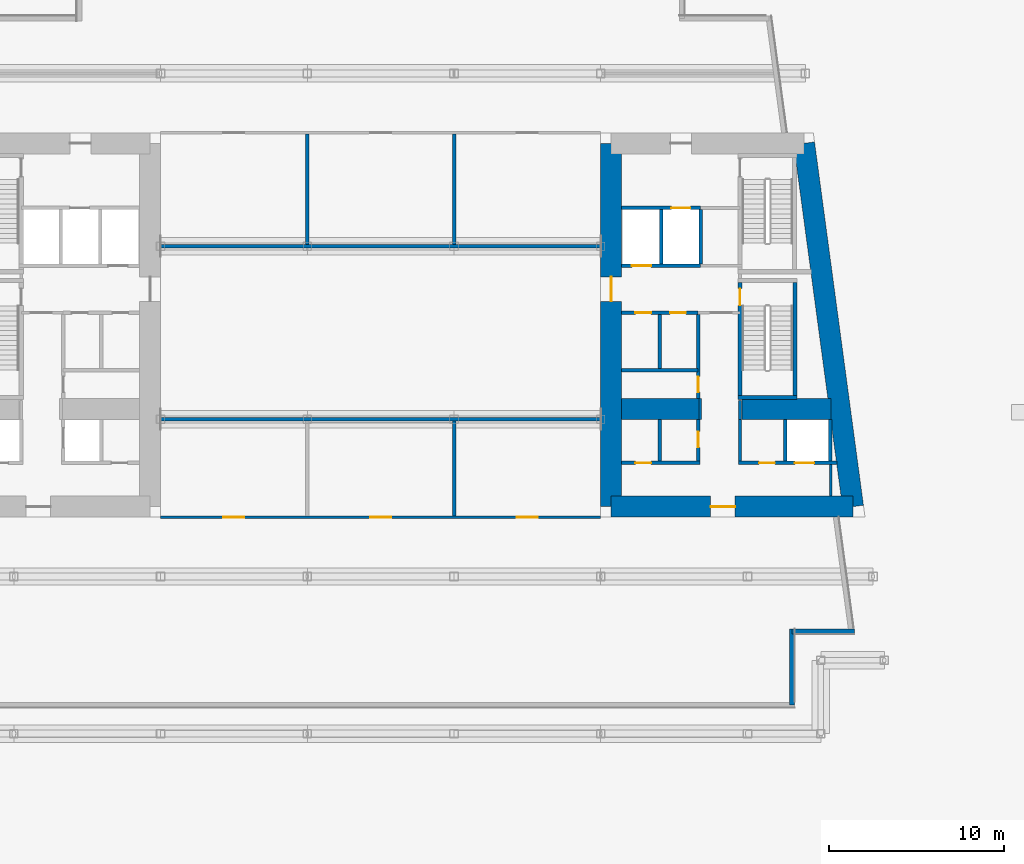
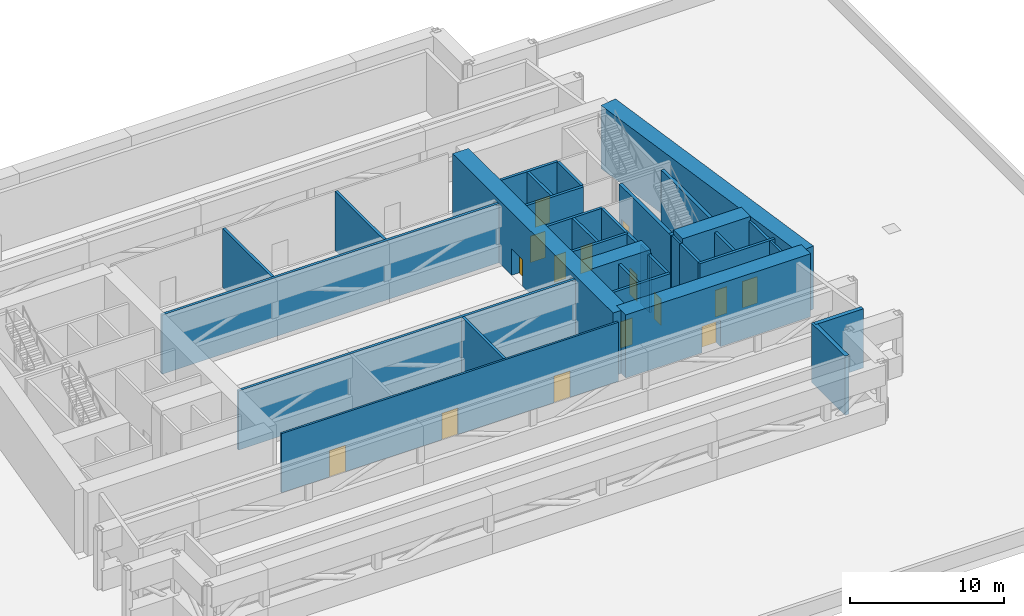
# One storey, part 15 of 26: 34 walls, 15 doors, 15 openings.
"""IFC4 building model written with IfcOpenShell, lengths in metres."""

from ifc_helpers import new_model, si_unit, direction, frame, frame_2d, origin, place, context, subcontext, project, spatial, rectangle, extrude, material, layer, layer_set, type_object, element, fill, save


model = new_model("IFC4")

# Units and contexts
model_context = context("Model", 3, precision=1e-05, world=origin(), true_north=direction((0.0, 1.0)))
body_context = subcontext(model_context, "Body", "Model", "MODEL_VIEW")
ifc_project = project(units=[si_unit("LENGTHUNIT", "METRE"), si_unit("AREAUNIT", "SQUARE_METRE"), si_unit("VOLUMEUNIT", "CUBIC_METRE"), si_unit("PLANEANGLEUNIT", "RADIAN"), si_unit("MASSUNIT", "GRAM", prefix="KILO")], contexts=[model_context])

# Site, building, storey
site_placement = place(None, origin())
site = spatial("IfcSite", under=ifc_project, at=site_placement, CompositionType="ELEMENT")
building_placement = place(site_placement, origin())
building = spatial("IfcBuilding", under=site, at=building_placement, Name="Candeia Pilgrim Tower and Theatre", CompositionType="ELEMENT")
storey_placement = place(building_placement, frame((0.0, 0.0, 34.0)))
storey = spatial("IfcBuildingStorey", under=building, at=storey_placement, Name="L05", CompositionType="ELEMENT", Elevation=34.0)

# Wall
ifc_material_1 = material(Name="Concrete C80/95", Category="concrete")
ifc_layer_1 = layer(ifc_material_1, 1.199951171875)
ifc_layer_set_1 = layer_set([ifc_layer_1], Name="Core wall 1200 C80/95")
wall_type_1 = type_object("IfcWallType", Name="Core wall 1200 C80/95", PredefinedType="SHEAR", material=ifc_layer_set_1)
wall_1_placement = place(storey_placement, frame((137.64453125, 131.800048828125, 0.0), z_axis=(0.0, 0.0, 1.0), x_axis=(0.133413989637, -0.99106039542, 0.0)))
element("IfcWall", 1, at=wall_1_placement, inside=storey, type_object=wall_type_1, Name="Core wall E2", PredefinedType="SHEAR", context=body_context, shape_type="SweptSolid", body=[
    extrude(rectangle(XDim=20.987548828125, YDim=1.199951171875, at=frame_2d((10.49365234375, 0.0))), origin(), (0.0, 0.0, 1.0), 5.0),
])

# Wall, opening, door
wall_2_placement = place(storey_placement, frame((140.444580078125, 111.0, 0.0), z_axis=(0.0, 0.0, 1.0), x_axis=(-1.0, 0.0, 0.0)))
wall_2 = element("IfcWall", 2, at=wall_2_placement, inside=storey, type_object=wall_type_1, Name="Core wall E3", PredefinedType="SHEAR", context=body_context, shape_type="SweptSolid", body=[
    extrude(rectangle(XDim=13.844482421875, YDim=1.199951171875, at=frame_2d((6.92236328125, 0.0))), origin(), (0.0, 0.0, 1.0), 5.0),
])
opening_1_placement = place(wall_2_placement, frame((6.751220703125, 0.0, 0.0)))
opening_1 = element("IfcOpeningElement", 3, at=opening_1_placement, cuts=wall_2, Name="Opening L05-D026", PredefinedType="OPENING", context=body_context, shape_type="SweptSolid", body=[
    extrude(rectangle(XDim=1.39990234375, YDim=2.10009765625, at=frame_2d((0.699951171875, 1.050048828125))), frame((0.0, 0.60986328125, 0.0), z_axis=(0.0, -1.0, 0.0), x_axis=(1.0, 0.0, 0.0)), (0.0, 0.0, 1.0), 1.219970703125),
])
ifc_material_2 = material(Name="Steel fire door set", Category="steel")
door_type_1 = type_object("IfcDoorType", Name="D-1400-FD60", OperationType="NOTDEFINED", PredefinedType="DOOR", material=ifc_material_2)
door_1_placement = place(opening_1_placement, origin())
door_1 = element("IfcDoor", 4, at=door_1_placement, inside=storey, type_object=door_type_1, Name="Door L05-D026", OperationType="SINGLE_SWING_LEFT", OverallHeight=2.10009765625, OverallWidth=1.39990234375, PredefinedType="DOOR", context=body_context, shape_type="SweptSolid", body=[
    extrude(rectangle(XDim=1.39990234375, YDim=2.10009765625, at=frame_2d((0.699951171875, 1.050048828125))), frame((0.0, 0.02490234375, 0.0), z_axis=(0.0, -1.0, 0.0), x_axis=(1.0, 0.0, 0.0)), (0.0, 0.0, 1.0), 0.050048828125),
])
fill(opening_1, door_1)

wall_3_placement = place(storey_placement, frame((126.60009765625, 111.0, 0.0), z_axis=(0.0, 0.0, 1.0), x_axis=(0.0, 1.0, 0.0)))
wall_3 = element("IfcWall", 5, at=wall_3_placement, inside=storey, type_object=wall_type_1, Name="Core wall E4", PredefinedType="SHEAR", context=body_context, shape_type="SweptSolid", body=[
    extrude(rectangle(XDim=20.800048828125, YDim=1.199951171875, at=frame_2d((10.39990234375, 0.0))), origin(), (0.0, 0.0, 1.0), 5.0),
])
opening_2_placement = place(wall_3_placement, frame((11.75, 0.0, 0.0)))
opening_2 = element("IfcOpeningElement", 6, at=opening_2_placement, cuts=wall_3, Name="Opening L05-D028", PredefinedType="OPENING", context=body_context, shape_type="SweptSolid", body=[
    extrude(rectangle(XDim=1.39990234375, YDim=2.10009765625, at=frame_2d((0.699951171875, 1.050048828125))), frame((0.0, 0.60986328125, 0.0), z_axis=(0.0, -1.0, 0.0), x_axis=(1.0, 0.0, 0.0)), (0.0, 0.0, 1.0), 1.219970703125),
])
door_2_placement = place(opening_2_placement, origin())
door_2 = element("IfcDoor", 7, at=door_2_placement, inside=storey, type_object=door_type_1, Name="Door L05-D028", OperationType="SINGLE_SWING_LEFT", OverallHeight=2.10009765625, OverallWidth=1.39990234375, PredefinedType="DOOR", context=body_context, shape_type="SweptSolid", body=[
    extrude(rectangle(XDim=1.39990234375, YDim=2.10009765625, at=frame_2d((0.699951171875, 1.050048828125))), frame((0.0, 0.02490234375, 0.0), z_axis=(0.0, -1.0, 0.0), x_axis=(1.0, 0.0, 0.0)), (0.0, 0.0, 1.0), 0.050048828125),
])
fill(opening_2, door_2)

# Walls
wall_4_placement = place(storey_placement, frame((127.199951171875, 116.60009765625, 0.0), z_axis=(0.0, 0.0, 1.0), x_axis=(1.0, 0.0, 0.0)))
element("IfcWall", 8, at=wall_4_placement, inside=storey, type_object=wall_type_1, Name="Core wall E5", PredefinedType="SHEAR", context=body_context, shape_type="SweptSolid", body=[
    extrude(rectangle(XDim=4.5, YDim=1.199951171875, at=frame_2d((2.25, 0.0))), origin(), (0.0, 0.0, 1.0), 5.0),
])
wall_5_placement = place(storey_placement, frame((134.10009765625, 116.60009765625, 0.0), z_axis=(0.0, 0.0, 1.0), x_axis=(1.0, 0.0, 0.0)))
element("IfcWall", 9, at=wall_5_placement, inside=storey, type_object=wall_type_1, Name="Core wall E6", PredefinedType="SHEAR", context=body_context, shape_type="SweptSolid", body=[
    extrude(rectangle(XDim=5.076904296875, YDim=1.199951171875, at=frame_2d((2.53857421875, 0.0))), origin(), (0.0, 0.0, 1.0), 5.0),
])
ifc_material_3 = material(Name="Ceramic block masonry", Category="masonry")
ifc_layer_2 = layer(ifc_material_3, 0.300048828125)
ifc_layer_set_2 = layer_set([ifc_layer_2], Name="EW1 glazing-line wall 300")
wall_type_2 = type_object("IfcWallType", Name="EW1 glazing-line wall 300", PredefinedType="SOLIDWALL", material=ifc_layer_set_2)
wall_6_placement = place(storey_placement, frame((136.949951171875, 99.64990234375, 0.0), z_axis=(0.0, 0.0, 1.0), x_axis=(0.0, 1.0, 0.0)))
element("IfcWall", 10, at=wall_6_placement, inside=storey, type_object=wall_type_2, Name="External wall L05-1.0", PredefinedType="SOLIDWALL", context=body_context, shape_type="SweptSolid", body=[
    extrude(rectangle(XDim=4.35009765625, YDim=0.300048828125, at=frame_2d((2.175048828125, 0.0))), origin(), (0.0, 0.0, 1.0), 4.679931640625),
])
wall_7_placement = place(storey_placement, frame((136.949951171875, 103.85009765625, 0.0), z_axis=(0.0, 0.0, 1.0), x_axis=(1.0, 0.0, 0.0)))
element("IfcWall", 11, at=wall_7_placement, inside=storey, type_object=wall_type_2, Name="External wall L05-2.0", PredefinedType="SOLIDWALL", context=body_context, shape_type="SweptSolid", body=[
    extrude(rectangle(XDim=3.569091796875, YDim=0.300048828125, at=frame_2d((1.78466796875, 0.0))), origin(), (0.0, 0.0, 1.0), 4.679931640625),
])
ifc_material_4 = material(Name="Gypsum board partition on steel studs", Category="steel")
ifc_layer_3 = layer(ifc_material_4, 0.14990234375)
ifc_layer_set_3 = layer_set([ifc_layer_3], Name="PW-150 lobby wall")
wall_type_3 = type_object("IfcWallType", Name="PW-150 lobby wall", PredefinedType="PARTITIONING", material=ifc_layer_set_3)
wall_8_placement = place(storey_placement, frame((131.699951171875, 116.0, 0.0), z_axis=(0.0, 0.0, 1.0), x_axis=(0.0, 1.0, 0.0)))
element("IfcWall", 12, at=wall_8_placement, inside=storey, type_object=wall_type_3, Name="Lobby wall L05-057", PredefinedType="PARTITIONING", context=body_context, shape_type="SweptSolid", body=[
    extrude(rectangle(XDim=1.199951171875, YDim=0.14990234375, at=frame_2d((0.60009765625, 0.0))), origin(), (0.0, 0.0, 1.0), 4.679931640625),
])
wall_9_placement = place(storey_placement, frame((133.972900390625, 116.0, 0.0), z_axis=(0.0, 0.0, 1.0), x_axis=(0.0, 1.0, 0.0)))
element("IfcWall", 13, at=wall_9_placement, inside=storey, type_object=wall_type_3, Name="Lobby wall L05-060", PredefinedType="PARTITIONING", context=body_context, shape_type="SweptSolid", body=[
    extrude(rectangle(XDim=1.074951171875, YDim=0.14990234375, at=frame_2d((0.53759765625, 0.0))), origin(), (0.0, 0.0, 1.0), 4.679931640625),
])
wall_10_placement = place(storey_placement, frame((139.1689453125, 111.60009765625, 0.0), z_axis=(0.0, 0.0, 1.0), x_axis=(0.0, 1.0, 0.0)))
element("IfcWall", 14, at=wall_10_placement, inside=storey, type_object=wall_type_3, Name="Lobby wall L05-068", PredefinedType="PARTITIONING", context=body_context, shape_type="SweptSolid", body=[
    extrude(rectangle(XDim=1.7998046875, YDim=0.14990234375, at=frame_2d((0.89990234375, 0.0))), origin(), (0.0, 0.0, 1.0), 4.679931640625),
])

# Wall, openings, doors
ifc_layer_4 = layer(ifc_material_4, 0.14990234375)
ifc_layer_set_4 = layer_set([ifc_layer_4], Name="PW-150 unit wall")
wall_type_4 = type_object("IfcWallType", Name="PW-150 unit wall", PredefinedType="PARTITIONING", material=ifc_layer_set_4)
wall_11_placement = place(storey_placement, frame((100.800048828125, 110.39990234375, 0.0), z_axis=(0.0, 0.0, 1.0), x_axis=(1.0, 0.0, 0.0)))
wall_11 = element("IfcWall", 15, at=wall_11_placement, inside=storey, type_object=wall_type_4, Name="Unit wall L05-002", PredefinedType="PARTITIONING", context=body_context, shape_type="SweptSolid", body=[
    extrude(rectangle(XDim=25.199951171875, YDim=0.14990234375, at=frame_2d((12.60009765625, 0.0))), origin(), (0.0, 0.0, 1.0), 4.679931640625),
])
opening_3_placement = place(wall_11_placement, frame((3.60009765625, 0.0, 0.0)))
opening_3 = element("IfcOpeningElement", 16, at=opening_3_placement, cuts=wall_11, Name="Opening L05-D001", PredefinedType="OPENING", context=body_context, shape_type="SweptSolid", body=[
    extrude(rectangle(XDim=1.199951171875, YDim=2.10009765625, at=frame_2d((0.60009765625, 1.050048828125))), frame((0.0, 0.0849609375, 0.0), z_axis=(0.0, -1.0, 0.0), x_axis=(1.0, 0.0, 0.0)), (0.0, 0.0, 1.0), 0.169921875),
])
opening_4_placement = place(wall_11_placement, frame((12.0, 0.0, 0.0)))
opening_4 = element("IfcOpeningElement", 17, at=opening_4_placement, cuts=wall_11, Name="Opening L05-D003", PredefinedType="OPENING", context=body_context, shape_type="SweptSolid", body=[
    extrude(rectangle(XDim=1.199951171875, YDim=2.10009765625, at=frame_2d((0.60009765625, 1.050048828125))), frame((0.0, 0.0849609375, 0.0), z_axis=(0.0, -1.0, 0.0), x_axis=(1.0, 0.0, 0.0)), (0.0, 0.0, 1.0), 0.169921875),
])
opening_5_placement = place(wall_11_placement, frame((20.39990234375, 0.0, 0.0)))
opening_5 = element("IfcOpeningElement", 18, at=opening_5_placement, cuts=wall_11, Name="Opening L05-D005", PredefinedType="OPENING", context=body_context, shape_type="SweptSolid", body=[
    extrude(rectangle(XDim=1.199951171875, YDim=2.10009765625, at=frame_2d((0.60009765625, 1.050048828125))), frame((0.0, 0.0849609375, 0.0), z_axis=(0.0, -1.0, 0.0), x_axis=(1.0, 0.0, 0.0)), (0.0, 0.0, 1.0), 0.169921875),
])
door_type_2 = type_object("IfcDoorType", Name="D-1200-FD60", OperationType="NOTDEFINED", PredefinedType="DOOR", material=ifc_material_2)
door_3_placement = place(opening_3_placement, origin())
door_3 = element("IfcDoor", 19, at=door_3_placement, inside=storey, type_object=door_type_2, Name="Door L05-D001", OperationType="SINGLE_SWING_RIGHT", OverallHeight=2.10009765625, OverallWidth=1.199951171875, PredefinedType="DOOR", context=body_context, shape_type="SweptSolid", body=[
    extrude(rectangle(XDim=1.199951171875, YDim=2.10009765625, at=frame_2d((0.60009765625, 1.050048828125))), frame((0.0, 0.02490234375, 0.0), z_axis=(0.0, -1.0, 0.0), x_axis=(1.0, 0.0, 0.0)), (0.0, 0.0, 1.0), 0.050048828125),
])
fill(opening_3, door_3)
door_4_placement = place(opening_4_placement, origin())
door_4 = element("IfcDoor", 20, at=door_4_placement, inside=storey, type_object=door_type_2, Name="Door L05-D003", OperationType="SINGLE_SWING_RIGHT", OverallHeight=2.10009765625, OverallWidth=1.199951171875, PredefinedType="DOOR", context=body_context, shape_type="SweptSolid", body=[
    extrude(rectangle(XDim=1.199951171875, YDim=2.10009765625, at=frame_2d((0.60009765625, 1.050048828125))), frame((0.0, 0.02490234375, 0.0), z_axis=(0.0, -1.0, 0.0), x_axis=(1.0, 0.0, 0.0)), (0.0, 0.0, 1.0), 0.050048828125),
])
fill(opening_4, door_4)
door_5_placement = place(opening_5_placement, origin())
door_5 = element("IfcDoor", 21, at=door_5_placement, inside=storey, type_object=door_type_2, Name="Door L05-D005", OperationType="SINGLE_SWING_RIGHT", OverallHeight=2.10009765625, OverallWidth=1.199951171875, PredefinedType="DOOR", context=body_context, shape_type="SweptSolid", body=[
    extrude(rectangle(XDim=1.199951171875, YDim=2.10009765625, at=frame_2d((0.60009765625, 1.050048828125))), frame((0.0, 0.02490234375, 0.0), z_axis=(0.0, -1.0, 0.0), x_axis=(1.0, 0.0, 0.0)), (0.0, 0.0, 1.0), 0.050048828125),
])
fill(opening_5, door_5)

# Walls
ifc_layer_5 = layer(ifc_material_4, 0.199951171875)
ifc_layer_set_5 = layer_set([ifc_layer_5], Name="PW-200 party wall")
wall_type_5 = type_object("IfcWallType", Name="PW-200 party wall", PredefinedType="PARTITIONING", material=ifc_layer_set_5)
for number, where, z_axis, x_axis, name in (
    (22, (100.800048828125, 116.0, 0.0), (0.0, 0.0, 1.0), (1.0, 0.0, 0.0), "Party wall L05-007"),
    (23, (100.800048828125, 125.89990234375, 0.0), (0.0, 0.0, 1.0), (1.0, 0.0, 0.0), "Party wall L05-023"),
):
    element("IfcWall", number, at=place(storey_placement, frame(where, z_axis=z_axis, x_axis=x_axis)), inside=storey, type_object=wall_type_5, Name=name, PredefinedType="PARTITIONING", context=body_context, shape_type="SweptSolid", body=[
        extrude(rectangle(XDim=25.199951171875, YDim=0.199951171875, at=frame_2d((12.60009765625, 0.0))), origin(), (0.0, 0.0, 1.0), 4.679931640625),
    ])
wall_12_placement = place(storey_placement, frame((109.199951171875, 126.0, 0.0), z_axis=(0.0, 0.0, 1.0), x_axis=(0.0, 1.0, 0.0)))
element("IfcWall", 24, at=wall_12_placement, inside=storey, type_object=wall_type_5, Name="Party wall L05-049", PredefinedType="PARTITIONING", context=body_context, shape_type="SweptSolid", body=[
    extrude(rectangle(XDim=6.324951171875, YDim=0.199951171875, at=frame_2d((3.16259765625, 0.0))), origin(), (0.0, 0.0, 1.0), 4.679931640625),
])
wall_13_placement = place(storey_placement, frame((117.60009765625, 110.47509765625, 0.0), z_axis=(0.0, 0.0, 1.0), x_axis=(0.0, 1.0, 0.0)))
element("IfcWall", 25, at=wall_13_placement, inside=storey, type_object=wall_type_5, Name="Party wall L05-050", PredefinedType="PARTITIONING", context=body_context, shape_type="SweptSolid", body=[
    extrude(rectangle(XDim=5.4248046875, YDim=0.199951171875, at=frame_2d((2.71240234375, 0.0))), origin(), (0.0, 0.0, 1.0), 4.679931640625),
])
wall_14_placement = place(storey_placement, frame((117.60009765625, 126.0, 0.0), z_axis=(0.0, 0.0, 1.0), x_axis=(0.0, 1.0, 0.0)))
element("IfcWall", 26, at=wall_14_placement, inside=storey, type_object=wall_type_5, Name="Party wall L05-051", PredefinedType="PARTITIONING", context=body_context, shape_type="SweptSolid", body=[
    extrude(rectangle(XDim=6.324951171875, YDim=0.199951171875, at=frame_2d((3.16259765625, 0.0))), origin(), (0.0, 0.0, 1.0), 4.679931640625),
])

# Wall, opening, door
ifc_material_5 = material(Name="Concrete C40/50", Category="concrete")
ifc_layer_6 = layer(ifc_material_5, 0.199951171875)
ifc_layer_set_6 = layer_set([ifc_layer_6], Name="SW-200 shaft wall")
wall_type_6 = type_object("IfcWallType", Name="SW-200 shaft wall", PredefinedType="PARTITIONING", material=ifc_layer_set_6)
wall_15_placement = place(storey_placement, frame((127.199951171875, 113.5, 0.0), z_axis=(0.0, 0.0, 1.0), x_axis=(1.0, 0.0, 0.0)))
wall_15 = element("IfcWall", 27, at=wall_15_placement, inside=storey, type_object=wall_type_6, Name="Shaft wall L05-005", PredefinedType="PARTITIONING", context=body_context, shape_type="SweptSolid", body=[
    extrude(rectangle(XDim=4.47314453125, YDim=0.199951171875, at=frame_2d((2.236572265625, 0.0))), origin(), (0.0, 0.0, 1.0), 4.679931640625),
])
opening_6_placement = place(wall_15_placement, frame((0.7900390625, 0.0, 0.0)))
opening_6 = element("IfcOpeningElement", 28, at=opening_6_placement, cuts=wall_15, Name="Opening L05-D022", PredefinedType="OPENING", context=body_context, shape_type="SweptSolid", body=[
    extrude(rectangle(XDim=0.89990234375, YDim=2.10009765625, at=frame_2d((0.449951171875, 1.050048828125))), frame((0.0, 0.10986328125, 0.0), z_axis=(0.0, -1.0, 0.0), x_axis=(1.0, 0.0, 0.0)), (0.0, 0.0, 1.0), 0.219970703125),
])
door_type_3 = type_object("IfcDoorType", Name="D-900-FD60", OperationType="NOTDEFINED", PredefinedType="DOOR", material=ifc_material_2)
door_6_placement = place(opening_6_placement, origin())
door_6 = element("IfcDoor", 29, at=door_6_placement, inside=storey, type_object=door_type_3, Name="Door L05-D022", OperationType="SINGLE_SWING_LEFT", OverallHeight=2.10009765625, OverallWidth=0.89990234375, PredefinedType="DOOR", context=body_context, shape_type="SweptSolid", body=[
    extrude(rectangle(XDim=0.89990234375, YDim=2.10009765625, at=frame_2d((0.449951171875, 1.050048828125))), frame((0.0, 0.02490234375, 0.0), z_axis=(0.0, -1.0, 0.0), x_axis=(1.0, 0.0, 0.0)), (0.0, 0.0, 1.0), 0.050048828125),
])
fill(opening_6, door_6)

# Wall, openings, doors
wall_16_placement = place(storey_placement, frame((133.873046875, 113.5, 0.0), z_axis=(0.0, 0.0, 1.0), x_axis=(1.0, 0.0, 0.0)))
wall_16 = element("IfcWall", 30, at=wall_16_placement, inside=storey, type_object=wall_type_6, Name="Shaft wall L05-006", PredefinedType="PARTITIONING", context=body_context, shape_type="SweptSolid", body=[
    extrude(rectangle(XDim=5.65966796875, YDim=0.199951171875, at=frame_2d((2.829833984375, 0.0))), origin(), (0.0, 0.0, 1.0), 4.679931640625),
])
opening_7_placement = place(wall_16_placement, frame((3.2470703125, 0.0, 0.0)))
opening_7 = element("IfcOpeningElement", 31, at=opening_7_placement, cuts=wall_16, Name="Opening L05-LD08", PredefinedType="OPENING", context=body_context, shape_type="SweptSolid", body=[
    extrude(rectangle(XDim=1.10009765625, YDim=2.10009765625, at=frame_2d((0.550048828125, 1.050048828125))), frame((0.0, 0.10986328125, 0.0), z_axis=(0.0, -1.0, 0.0), x_axis=(1.0, 0.0, 0.0)), (0.0, 0.0, 1.0), 0.219970703125),
])
opening_8_placement = place(wall_16_placement, frame((1.198974609375, 0.0, 0.0)))
opening_8 = element("IfcOpeningElement", 32, at=opening_8_placement, cuts=wall_16, Name="Opening L05-D020", PredefinedType="OPENING", context=body_context, shape_type="SweptSolid", body=[
    extrude(rectangle(XDim=0.89990234375, YDim=2.10009765625, at=frame_2d((0.449951171875, 1.050048828125))), frame((0.0, 0.10986328125, 0.0), z_axis=(0.0, -1.0, 0.0), x_axis=(1.0, 0.0, 0.0)), (0.0, 0.0, 1.0), 0.219970703125),
])
door_7_placement = place(opening_8_placement, origin())
door_7 = element("IfcDoor", 33, at=door_7_placement, inside=storey, type_object=door_type_3, Name="Door L05-D020", OperationType="SINGLE_SWING_LEFT", OverallHeight=2.10009765625, OverallWidth=0.89990234375, PredefinedType="DOOR", context=body_context, shape_type="SweptSolid", body=[
    extrude(rectangle(XDim=0.89990234375, YDim=2.10009765625, at=frame_2d((0.449951171875, 1.050048828125))), frame((0.0, 0.02490234375, 0.0), z_axis=(0.0, -1.0, 0.0), x_axis=(1.0, 0.0, 0.0)), (0.0, 0.0, 1.0), 0.050048828125),
])
fill(opening_8, door_7)
ifc_material_6 = material(Name="Glazed aluminium landing door", Category="aluminium")
door_type_4 = type_object("IfcDoorType", Name="LD-1100-EI120", OperationType="SLIDING_TO_LEFT", PredefinedType="DOOR", material=ifc_material_6)
door_8_placement = place(opening_7_placement, origin())
door_8 = element("IfcDoor", 34, at=door_8_placement, inside=storey, type_object=door_type_4, Name="Landing door 08 L05", OperationType="SLIDING_TO_LEFT", OverallHeight=2.10009765625, OverallWidth=1.10009765625, PredefinedType="DOOR", context=body_context, shape_type="SweptSolid", body=[
    extrude(rectangle(XDim=1.10009765625, YDim=2.10009765625, at=frame_2d((0.550048828125, 1.050048828125))), frame((0.0, 0.02490234375, 0.0), z_axis=(0.0, -1.0, 0.0), x_axis=(1.0, 0.0, 0.0)), (0.0, 0.0, 1.0), 0.050048828125),
])
fill(opening_7, door_8)

# Wall
wall_17_placement = place(storey_placement, frame((127.199951171875, 118.800048828125, 0.0), z_axis=(0.0, 0.0, 1.0), x_axis=(1.0, 0.0, 0.0)))
element("IfcWall", 35, at=wall_17_placement, inside=storey, type_object=wall_type_6, Name="Shaft wall L05-011", PredefinedType="PARTITIONING", context=body_context, shape_type="SweptSolid", body=[
    extrude(rectangle(XDim=4.373046875, YDim=0.199951171875, at=frame_2d((2.1865234375, 0.0))), origin(), (0.0, 0.0, 1.0), 4.679931640625),
])

# Wall, openings, doors
wall_18_placement = place(storey_placement, frame((127.199951171875, 122.10009765625, 0.0), z_axis=(0.0, 0.0, 1.0), x_axis=(1.0, 0.0, 0.0)))
wall_18 = element("IfcWall", 36, at=wall_18_placement, inside=storey, type_object=wall_type_6, Name="Shaft wall L05-013", PredefinedType="PARTITIONING", context=body_context, shape_type="SweptSolid", body=[
    extrude(rectangle(XDim=4.373046875, YDim=0.199951171875, at=frame_2d((2.1865234375, 0.0))), origin(), (0.0, 0.0, 1.0), 4.679931640625),
])
opening_9_placement = place(wall_18_placement, frame((2.77099609375, 0.0, 0.0)))
opening_9 = element("IfcOpeningElement", 37, at=opening_9_placement, cuts=wall_18, Name="Opening L05-D015", PredefinedType="OPENING", context=body_context, shape_type="SweptSolid", body=[
    extrude(rectangle(XDim=0.89990234375, YDim=2.10009765625, at=frame_2d((0.449951171875, 1.050048828125))), frame((0.0, 0.10986328125, 0.0), z_axis=(0.0, -1.0, 0.0), x_axis=(1.0, 0.0, 0.0)), (0.0, 0.0, 1.0), 0.219970703125),
])
opening_10_placement = place(wall_18_placement, frame((0.7900390625, 0.0, 0.0)))
opening_10 = element("IfcOpeningElement", 38, at=opening_10_placement, cuts=wall_18, Name="Opening L05-D016", PredefinedType="OPENING", context=body_context, shape_type="SweptSolid", body=[
    extrude(rectangle(XDim=0.89990234375, YDim=2.10009765625, at=frame_2d((0.449951171875, 1.050048828125))), frame((0.0, 0.10986328125, 0.0), z_axis=(0.0, -1.0, 0.0), x_axis=(1.0, 0.0, 0.0)), (0.0, 0.0, 1.0), 0.219970703125),
])
door_9_placement = place(opening_9_placement, origin())
door_9 = element("IfcDoor", 39, at=door_9_placement, inside=storey, type_object=door_type_3, Name="Door L05-D015", OperationType="SINGLE_SWING_LEFT", OverallHeight=2.10009765625, OverallWidth=0.89990234375, PredefinedType="DOOR", context=body_context, shape_type="SweptSolid", body=[
    extrude(rectangle(XDim=0.89990234375, YDim=2.10009765625, at=frame_2d((0.449951171875, 1.050048828125))), frame((0.0, 0.02490234375, 0.0), z_axis=(0.0, -1.0, 0.0), x_axis=(1.0, 0.0, 0.0)), (0.0, 0.0, 1.0), 0.050048828125),
])
fill(opening_9, door_9)
door_10_placement = place(opening_10_placement, origin())
door_10 = element("IfcDoor", 40, at=door_10_placement, inside=storey, type_object=door_type_3, Name="Door L05-D016", OperationType="SINGLE_SWING_RIGHT", OverallHeight=2.10009765625, OverallWidth=0.89990234375, PredefinedType="DOOR", context=body_context, shape_type="SweptSolid", body=[
    extrude(rectangle(XDim=0.89990234375, YDim=2.10009765625, at=frame_2d((0.449951171875, 1.050048828125))), frame((0.0, 0.02490234375, 0.0), z_axis=(0.0, -1.0, 0.0), x_axis=(1.0, 0.0, 0.0)), (0.0, 0.0, 1.0), 0.050048828125),
])
fill(opening_10, door_10)

# Wall, opening, door
wall_19_placement = place(storey_placement, frame((127.199951171875, 124.800048828125, 0.0), z_axis=(0.0, 0.0, 1.0), x_axis=(1.0, 0.0, 0.0)))
wall_19 = element("IfcWall", 41, at=wall_19_placement, inside=storey, type_object=wall_type_6, Name="Shaft wall L05-021", PredefinedType="PARTITIONING", context=body_context, shape_type="SweptSolid", body=[
    extrude(rectangle(XDim=4.515380859375, YDim=0.199951171875, at=frame_2d((2.2578125, 0.0))), origin(), (0.0, 0.0, 1.0), 4.679931640625),
])
opening_11_placement = place(wall_19_placement, frame((0.5791015625, 0.0, 0.0)))
opening_11 = element("IfcOpeningElement", 42, at=opening_11_placement, cuts=wall_19, Name="Opening L05-LD07", PredefinedType="OPENING", context=body_context, shape_type="SweptSolid", body=[
    extrude(rectangle(XDim=1.10009765625, YDim=2.10009765625, at=frame_2d((0.550048828125, 1.050048828125))), frame((0.0, 0.10986328125, 0.0), z_axis=(0.0, -1.0, 0.0), x_axis=(1.0, 0.0, 0.0)), (0.0, 0.0, 1.0), 0.219970703125),
])
door_11_placement = place(opening_11_placement, origin())
door_11 = element("IfcDoor", 43, at=door_11_placement, inside=storey, type_object=door_type_4, Name="Landing door 07 L05", OperationType="SLIDING_TO_LEFT", OverallHeight=2.10009765625, OverallWidth=1.10009765625, PredefinedType="DOOR", context=body_context, shape_type="SweptSolid", body=[
    extrude(rectangle(XDim=1.10009765625, YDim=2.10009765625, at=frame_2d((0.550048828125, 1.050048828125))), frame((0.0, 0.02490234375, 0.0), z_axis=(0.0, -1.0, 0.0), x_axis=(1.0, 0.0, 0.0)), (0.0, 0.0, 1.0), 0.050048828125),
])
fill(opening_11, door_11)

wall_20_placement = place(storey_placement, frame((127.199951171875, 128.10009765625, 0.0), z_axis=(0.0, 0.0, 1.0), x_axis=(1.0, 0.0, 0.0)))
wall_20 = element("IfcWall", 44, at=wall_20_placement, inside=storey, type_object=wall_type_6, Name="Shaft wall L05-025", PredefinedType="PARTITIONING", context=body_context, shape_type="SweptSolid", body=[
    extrude(rectangle(XDim=4.515380859375, YDim=0.199951171875, at=frame_2d((2.2578125, 0.0))), origin(), (0.0, 0.0, 1.0), 4.679931640625),
])
opening_12_placement = place(wall_20_placement, frame((2.8369140625, 0.0, 0.0)))
opening_12 = element("IfcOpeningElement", 45, at=opening_12_placement, cuts=wall_20, Name="Opening L05-LD06", PredefinedType="OPENING", context=body_context, shape_type="SweptSolid", body=[
    extrude(rectangle(XDim=1.10009765625, YDim=2.10009765625, at=frame_2d((0.550048828125, 1.050048828125))), frame((0.0, 0.10986328125, 0.0), z_axis=(0.0, -1.0, 0.0), x_axis=(1.0, 0.0, 0.0)), (0.0, 0.0, 1.0), 0.219970703125),
])
door_12_placement = place(opening_12_placement, origin())
door_12 = element("IfcDoor", 46, at=door_12_placement, inside=storey, type_object=door_type_4, Name="Landing door 06 L05", OperationType="SLIDING_TO_LEFT", OverallHeight=2.10009765625, OverallWidth=1.10009765625, PredefinedType="DOOR", context=body_context, shape_type="SweptSolid", body=[
    extrude(rectangle(XDim=1.10009765625, YDim=2.10009765625, at=frame_2d((0.550048828125, 1.050048828125))), frame((0.0, 0.02490234375, 0.0), z_axis=(0.0, -1.0, 0.0), x_axis=(1.0, 0.0, 0.0)), (0.0, 0.0, 1.0), 0.050048828125),
])
fill(opening_12, door_12)

# Walls
wall_21_placement = place(storey_placement, frame((129.386474609375, 113.60009765625, 0.0), z_axis=(0.0, 0.0, 1.0), x_axis=(0.0, 1.0, 0.0)))
element("IfcWall", 47, at=wall_21_placement, inside=storey, type_object=wall_type_6, Name="Shaft wall L05-052", PredefinedType="PARTITIONING", context=body_context, shape_type="SweptSolid", body=[
    extrude(rectangle(XDim=2.39990234375, YDim=0.199951171875, at=frame_2d((1.199951171875, 0.0))), origin(), (0.0, 0.0, 1.0), 4.679931640625),
])
for number, where, z_axis, x_axis, name in (
    (48, (129.386474609375, 118.89990234375, 0.0), (0.0, 0.0, 1.0), (0.0, 1.0, 0.0), "Shaft wall L05-053"),
    (49, (129.457763671875, 124.89990234375, 0.0), (0.0, 0.0, 1.0), (0.0, 1.0, 0.0), "Shaft wall L05-054"),
):
    element("IfcWall", number, at=place(storey_placement, frame(where, z_axis=z_axis, x_axis=x_axis)), inside=storey, type_object=wall_type_6, Name=name, PredefinedType="PARTITIONING", context=body_context, shape_type="SweptSolid", body=[
        extrude(rectangle(XDim=3.10009765625, YDim=0.199951171875, at=frame_2d((1.550048828125, 0.0))), origin(), (0.0, 0.0, 1.0), 4.679931640625),
    ])

# Wall, opening, door
wall_22_placement = place(storey_placement, frame((131.572998046875, 113.60009765625, 0.0), z_axis=(0.0, 0.0, 1.0), x_axis=(0.0, 1.0, 0.0)))
wall_22 = element("IfcWall", 50, at=wall_22_placement, inside=storey, type_object=wall_type_6, Name="Shaft wall L05-055", PredefinedType="PARTITIONING", context=body_context, shape_type="SweptSolid", body=[
    extrude(rectangle(XDim=2.39990234375, YDim=0.199951171875, at=frame_2d((1.199951171875, 0.0))), origin(), (0.0, 0.0, 1.0), 4.679931640625),
])
opening_13_placement = place(wall_22_placement, frame((0.7900390625, 0.0, 0.0)))
opening_13 = element("IfcOpeningElement", 51, at=opening_13_placement, cuts=wall_22, Name="Opening L05-D021", PredefinedType="OPENING", context=body_context, shape_type="SweptSolid", body=[
    extrude(rectangle(XDim=0.89990234375, YDim=2.10009765625, at=frame_2d((0.449951171875, 1.050048828125))), frame((0.0, 0.10986328125, 0.0), z_axis=(0.0, -1.0, 0.0), x_axis=(1.0, 0.0, 0.0)), (0.0, 0.0, 1.0), 0.219970703125),
])
door_13_placement = place(opening_13_placement, origin())
door_13 = element("IfcDoor", 52, at=door_13_placement, inside=storey, type_object=door_type_3, Name="Door L05-D021", OperationType="SINGLE_SWING_RIGHT", OverallHeight=2.10009765625, OverallWidth=0.89990234375, PredefinedType="DOOR", context=body_context, shape_type="SweptSolid", body=[
    extrude(rectangle(XDim=0.89990234375, YDim=2.10009765625, at=frame_2d((0.449951171875, 1.050048828125))), frame((0.0, 0.02490234375, 0.0), z_axis=(0.0, -1.0, 0.0), x_axis=(1.0, 0.0, 0.0)), (0.0, 0.0, 1.0), 0.050048828125),
])
fill(opening_13, door_13)

wall_23_placement = place(storey_placement, frame((131.572998046875, 117.199951171875, 0.0), z_axis=(0.0, 0.0, 1.0), x_axis=(0.0, 1.0, 0.0)))
wall_23 = element("IfcWall", 53, at=wall_23_placement, inside=storey, type_object=wall_type_6, Name="Shaft wall L05-056", PredefinedType="PARTITIONING", context=body_context, shape_type="SweptSolid", body=[
    extrude(rectangle(XDim=4.800048828125, YDim=0.199951171875, at=frame_2d((2.39990234375, 0.0))), origin(), (0.0, 0.0, 1.0), 4.679931640625),
])
opening_14_placement = place(wall_23_placement, frame((0.35009765625, 0.0, 0.0)))
opening_14 = element("IfcOpeningElement", 54, at=opening_14_placement, cuts=wall_23, Name="Opening L05-D019", PredefinedType="OPENING", context=body_context, shape_type="SweptSolid", body=[
    extrude(rectangle(XDim=0.89990234375, YDim=2.10009765625, at=frame_2d((0.449951171875, 1.050048828125))), frame((0.0, 0.10986328125, 0.0), z_axis=(0.0, -1.0, 0.0), x_axis=(1.0, 0.0, 0.0)), (0.0, 0.0, 1.0), 0.219970703125),
])
door_14_placement = place(opening_14_placement, origin())
door_14 = element("IfcDoor", 55, at=door_14_placement, inside=storey, type_object=door_type_3, Name="Door L05-D019", OperationType="SINGLE_SWING_LEFT", OverallHeight=2.10009765625, OverallWidth=0.89990234375, PredefinedType="DOOR", context=body_context, shape_type="SweptSolid", body=[
    extrude(rectangle(XDim=0.89990234375, YDim=2.10009765625, at=frame_2d((0.449951171875, 1.050048828125))), frame((0.0, 0.02490234375, 0.0), z_axis=(0.0, -1.0, 0.0), x_axis=(1.0, 0.0, 0.0)), (0.0, 0.0, 1.0), 0.050048828125),
])
fill(opening_14, door_14)

# Walls
wall_24_placement = place(storey_placement, frame((131.71533203125, 124.89990234375, 0.0), z_axis=(0.0, 0.0, 1.0), x_axis=(0.0, 1.0, 0.0)))
element("IfcWall", 56, at=wall_24_placement, inside=storey, type_object=wall_type_6, Name="Shaft wall L05-058", PredefinedType="PARTITIONING", context=body_context, shape_type="SweptSolid", body=[
    extrude(rectangle(XDim=3.10009765625, YDim=0.199951171875, at=frame_2d((1.550048828125, 0.0))), origin(), (0.0, 0.0, 1.0), 4.679931640625),
])
for number, where, z_axis, x_axis, name in (
    (57, (133.972900390625, 113.60009765625, 0.0), (0.0, 0.0, 1.0), (0.0, 1.0, 0.0), "Shaft wall L05-059"),
    (58, (136.571044921875, 113.60009765625, 0.0), (0.0, 0.0, 1.0), (0.0, 1.0, 0.0), "Shaft wall L05-064"),
    (59, (139.14697265625, 113.60009765625, 0.0), (0.0, 0.0, 1.0), (0.0, 1.0, 0.0), "Shaft wall L05-067"),
):
    element("IfcWall", number, at=place(storey_placement, frame(where, z_axis=z_axis, x_axis=x_axis)), inside=storey, type_object=wall_type_6, Name=name, PredefinedType="PARTITIONING", context=body_context, shape_type="SweptSolid", body=[
        extrude(rectangle(XDim=2.39990234375, YDim=0.199951171875, at=frame_2d((1.199951171875, 0.0))), origin(), (0.0, 0.0, 1.0), 4.679931640625),
    ])
ifc_layer_7 = layer(ifc_material_5, 0.25)
ifc_layer_set_7 = layer_set([ifc_layer_7], Name="SW-250 stair wall")
wall_type_7 = type_object("IfcWallType", Name="SW-250 stair wall", PredefinedType="PARTITIONING", material=ifc_layer_set_7)
wall_25_placement = place(storey_placement, frame((133.847900390625, 117.2451171875, 0.0), z_axis=(0.0, 0.0, 1.0), x_axis=(1.0, 0.0, 0.0)))
element("IfcWall", 60, at=wall_25_placement, inside=storey, type_object=wall_type_7, Name="Stair wall L05-009", PredefinedType="PARTITIONING", context=body_context, shape_type="SweptSolid", body=[
    extrude(rectangle(XDim=3.400146484375, YDim=0.25, at=frame_2d((1.7001953125, 0.0))), origin(), (0.0, 0.0, 1.0), 4.679931640625),
])

# Wall, opening, door
wall_26_placement = place(storey_placement, frame((133.972900390625, 117.169921875, 0.0), z_axis=(0.0, 0.0, 1.0), x_axis=(0.0, 1.0, 0.0)))
wall_26 = element("IfcWall", 61, at=wall_26_placement, inside=storey, type_object=wall_type_7, Name="Stair wall L05-062", PredefinedType="PARTITIONING", context=body_context, shape_type="SweptSolid", body=[
    extrude(rectangle(XDim=6.655029296875, YDim=0.25, at=frame_2d((3.32763671875, 0.0))), origin(), (0.0, 0.0, 1.0), 4.679931640625),
])
opening_15_placement = place(wall_26_placement, frame((5.35498046875, 0.0, 0.0)))
opening_15 = element("IfcOpeningElement", 62, at=opening_15_placement, cuts=wall_26, Name="Opening L05-D017", PredefinedType="OPENING", context=body_context, shape_type="SweptSolid", body=[
    extrude(rectangle(XDim=0.949951171875, YDim=2.10009765625, at=frame_2d((0.47509765625, 1.050048828125))), frame((0.0, 0.135009765625, 0.0), z_axis=(0.0, -1.0, 0.0), x_axis=(1.0, 0.0, 0.0)), (0.0, 0.0, 1.0), 0.27001953125),
])
door_type_5 = type_object("IfcDoorType", Name="D-950-FD60", OperationType="NOTDEFINED", PredefinedType="DOOR", material=ifc_material_2)
door_15_placement = place(opening_15_placement, origin())
door_15 = element("IfcDoor", 63, at=door_15_placement, inside=storey, type_object=door_type_5, Name="Door L05-D017", OperationType="SINGLE_SWING_LEFT", OverallHeight=2.10009765625, OverallWidth=0.949951171875, PredefinedType="DOOR", context=body_context, shape_type="SweptSolid", body=[
    extrude(rectangle(XDim=0.949951171875, YDim=2.10009765625, at=frame_2d((0.47509765625, 1.050048828125))), frame((0.0, 0.02490234375, 0.0), z_axis=(0.0, -1.0, 0.0), x_axis=(1.0, 0.0, 0.0)), (0.0, 0.0, 1.0), 0.050048828125),
])
fill(opening_15, door_15)

# Wall
wall_27_placement = place(storey_placement, frame((137.123046875, 117.169921875, 0.0), z_axis=(0.0, 0.0, 1.0), x_axis=(0.0, 1.0, 0.0)))
element("IfcWall", 64, at=wall_27_placement, inside=storey, type_object=wall_type_7, Name="Stair wall L05-065", PredefinedType="PARTITIONING", context=body_context, shape_type="SweptSolid", body=[
    extrude(rectangle(XDim=6.655029296875, YDim=0.25, at=frame_2d((3.32763671875, 0.0))), origin(), (0.0, 0.0, 1.0), 4.679931640625),
])

save(model, "model.ifc")
